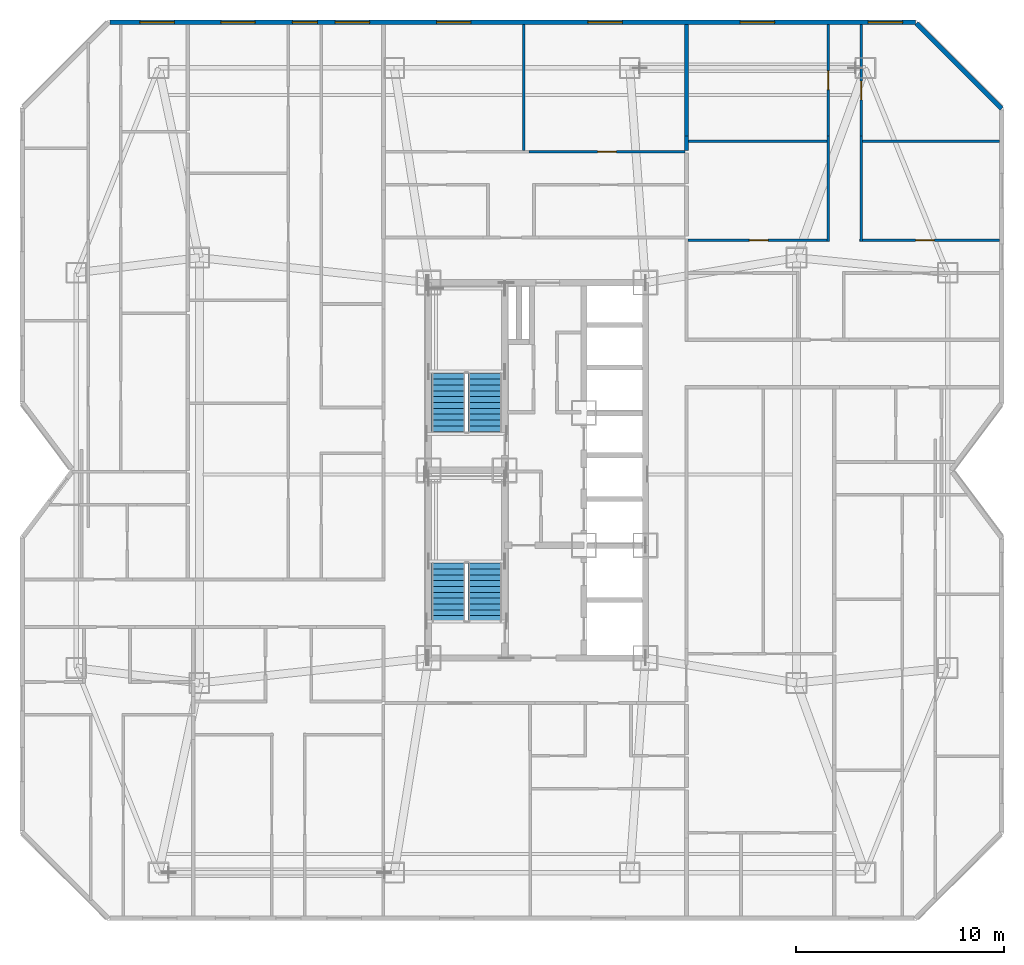
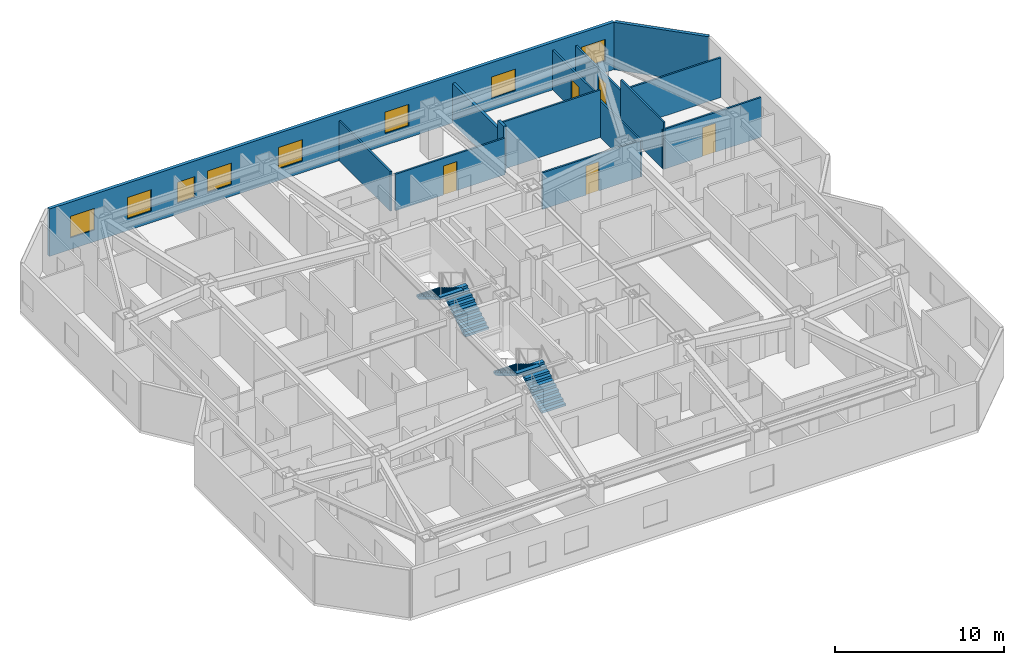
# One storey, part 11 of 13: 14 walls, 8 windows, 5 doors, 4 stair flights, 13 openings, 2 elements without a shape of their own.
"""IFC4 building model written with IfcOpenShell, lengths in metres."""

from ifc_helpers import new_model, si_unit, direction, frame, frame_2d, origin, place, context, subcontext, project, spatial, polyline, rectangle, outline, extrude, material, layer, layer_set, type_object, element, fill, aggregate, save


model = new_model("IFC4")

# Units and contexts
model_context = context("Model", 3, precision=1e-05, world=origin(), true_north=direction((0.0, 1.0)))
body_context = subcontext(model_context, "Body", "Model", "MODEL_VIEW")
ifc_project = project(units=[si_unit("LENGTHUNIT", "METRE"), si_unit("AREAUNIT", "SQUARE_METRE"), si_unit("VOLUMEUNIT", "CUBIC_METRE"), si_unit("PLANEANGLEUNIT", "RADIAN"), si_unit("MASSUNIT", "GRAM", prefix="KILO")], contexts=[model_context])

# Site, building, storey
site_placement = place(None, origin())
site = spatial("IfcSite", under=ifc_project, at=site_placement, CompositionType="ELEMENT")
building_placement = place(site_placement, origin())
building = spatial("IfcBuilding", under=site, at=building_placement, Name="Khamvora Tower", CompositionType="ELEMENT")
storey_placement = place(building_placement, frame((0.0, 0.0, 105.550048828125)))
storey = spatial("IfcBuildingStorey", under=building, at=storey_placement, Name="L26", CompositionType="ELEMENT", Elevation=105.550048828125)

# Walls
ifc_material_1 = material(Name="Acoustic Double-Stud Fire Wall", Category="gypsum")
ifc_layer_1 = layer(ifc_material_1, 0.179931640625)
ifc_layer_set_1 = layer_set([ifc_layer_1], Name="Acoustic Double-Stud Fire Wall")
wall_type_1 = type_object("IfcWallType", Name="WAL-CORR-180", PredefinedType="STANDARD", material=ifc_layer_set_1)
wall_1_placement = place(storey_placement, frame((41.364990234375, 44.033935546875, 0.0), z_axis=(0.0, 0.0, 1.0), x_axis=(0.0, -1.0, 0.0)))
element("IfcWall", 1, at=wall_1_placement, inside=storey, type_object=wall_type_1, Name="L26 interior partition wall 129", PredefinedType="STANDARD", context=body_context, shape_type="SweptSolid", body=[
    extrude(rectangle(XDim=0.69384765625, YDim=0.179931640625, at=frame_2d((0.346923828125, 0.0))), origin(), (0.0, 0.0, 1.0), 3.429931640625),
])
wall_2_placement = place(storey_placement, frame((41.364990234375, 49.387939453125, 0.0), z_axis=(0.0, 0.0, 1.0), x_axis=(0.0, -1.0, 0.0)))
element("IfcWall", 2, at=wall_2_placement, inside=storey, type_object=wall_type_1, Name="L26 interior partition wall 130", PredefinedType="STANDARD", context=body_context, shape_type="SweptSolid", body=[
    extrude(rectangle(XDim=5.35400390625, YDim=0.179931640625, at=frame_2d((2.677001953125, 0.0))), origin(), (0.0, 0.0, 1.0), 2.8759765625),
])

# Wall, openings, windows
ifc_material_2 = material(Name="Precast concrete C40/50", Category="concrete")
ifc_layer_2 = layer(ifc_material_2, 0.219970703125)
ifc_layer_set_2 = layer_set([ifc_layer_2], Name="Precast concrete C40/50")
wall_type_2 = type_object("IfcWallType", Name="WAL-EXT-220", PredefinedType="STANDARD", material=ifc_layer_set_2)
wall_3_placement = place(storey_placement, frame((13.715087890625, 49.489990234375, 0.0), z_axis=(0.0, 0.0, 1.0), x_axis=(1.0, 0.0, 0.0)))
wall_3 = element("IfcWall", 3, at=wall_3_placement, inside=storey, type_object=wall_type_2, Name="L26 exterior facade wall 07.1", PredefinedType="STANDARD", context=body_context, shape_type="SweptSolid", body=[
    extrude(rectangle(XDim=38.638916015625, YDim=0.219970703125, at=frame_2d((19.3193359375, 0.0))), origin(), (0.0, 0.0, 1.0), 3.429931640625),
])
opening_1_placement = place(wall_3_placement, frame((1.43505859375, 0.0, 0.85009765625)))
opening_1 = element("IfcOpeningElement", 4, at=opening_1_placement, cuts=wall_3, Name="Opening WN-06", PredefinedType="OPENING", context=body_context, shape_type="SweptSolid", body=[
    extrude(rectangle(XDim=1.64990234375, YDim=1.550048828125, at=frame_2d((0.824951171875, 0.77490234375))), frame((0.0, 0.119873046875, 0.0), z_axis=(0.0, -1.0, 0.0), x_axis=(1.0, 0.0, 0.0)), (0.0, 0.0, 1.0), 0.239990234375),
])
opening_2_placement = place(wall_3_placement, frame((10.802001953125, 0.0, 0.85009765625)))
opening_2 = element("IfcOpeningElement", 5, at=opening_2_placement, cuts=wall_3, Name="Opening WN-06", PredefinedType="OPENING", context=body_context, shape_type="SweptSolid", body=[
    extrude(rectangle(XDim=1.64990234375, YDim=1.550048828125, at=frame_2d((0.824951171875, 0.77490234375))), frame((0.0, 0.119873046875, 0.0), z_axis=(0.0, -1.0, 0.0), x_axis=(1.0, 0.0, 0.0)), (0.0, 0.0, 1.0), 0.239990234375),
])
opening_3_placement = place(wall_3_placement, frame((8.743896484375, 0.0, 0.800048828125)))
opening_3 = element("IfcOpeningElement", 6, at=opening_3_placement, cuts=wall_3, Name="Opening WN-03", PredefinedType="OPENING", context=body_context, shape_type="SweptSolid", body=[
    extrude(rectangle(XDim=1.199951171875, YDim=1.5, at=frame_2d((0.60009765625, 0.75))), frame((0.0, 0.119873046875, 0.0), z_axis=(0.0, -1.0, 0.0), x_axis=(1.0, 0.0, 0.0)), (0.0, 0.0, 1.0), 0.239990234375),
])
opening_4_placement = place(wall_3_placement, frame((5.319091796875, 0.0, 0.85009765625)))
opening_4 = element("IfcOpeningElement", 7, at=opening_4_placement, cuts=wall_3, Name="Opening WN-06", PredefinedType="OPENING", context=body_context, shape_type="SweptSolid", body=[
    extrude(rectangle(XDim=1.64990234375, YDim=1.550048828125, at=frame_2d((0.824951171875, 0.77490234375))), frame((0.0, 0.119873046875, 0.0), z_axis=(0.0, -1.0, 0.0), x_axis=(1.0, 0.0, 0.0)), (0.0, 0.0, 1.0), 0.239990234375),
])
opening_5_placement = place(wall_3_placement, frame((15.6650390625, 0.0, 0.85009765625)))
opening_5 = element("IfcOpeningElement", 8, at=opening_5_placement, cuts=wall_3, Name="Opening WN-06", PredefinedType="OPENING", context=body_context, shape_type="SweptSolid", body=[
    extrude(rectangle(XDim=1.64990234375, YDim=1.550048828125, at=frame_2d((0.824951171875, 0.77490234375))), frame((0.0, 0.119873046875, 0.0), z_axis=(0.0, -1.0, 0.0), x_axis=(1.0, 0.0, 0.0)), (0.0, 0.0, 1.0), 0.239990234375),
])
opening_6_placement = place(wall_3_placement, frame((22.929931640625, 0.0, 0.85009765625)))
opening_6 = element("IfcOpeningElement", 9, at=opening_6_placement, cuts=wall_3, Name="Opening WN-06", PredefinedType="OPENING", context=body_context, shape_type="SweptSolid", body=[
    extrude(rectangle(XDim=1.64990234375, YDim=1.550048828125, at=frame_2d((0.824951171875, 0.77490234375))), frame((0.0, 0.119873046875, 0.0), z_axis=(0.0, -1.0, 0.0), x_axis=(1.0, 0.0, 0.0)), (0.0, 0.0, 1.0), 0.239990234375),
])
opening_7_placement = place(wall_3_placement, frame((30.22998046875, 0.0, 0.85009765625)))
opening_7 = element("IfcOpeningElement", 10, at=opening_7_placement, cuts=wall_3, Name="Opening WN-06", PredefinedType="OPENING", context=body_context, shape_type="SweptSolid", body=[
    extrude(rectangle(XDim=1.64990234375, YDim=1.550048828125, at=frame_2d((0.824951171875, 0.77490234375))), frame((0.0, 0.119873046875, 0.0), z_axis=(0.0, -1.0, 0.0), x_axis=(1.0, 0.0, 0.0)), (0.0, 0.0, 1.0), 0.239990234375),
])
opening_8_placement = place(wall_3_placement, frame((36.366943359375, 0.0, 0.85009765625)))
opening_8 = element("IfcOpeningElement", 11, at=opening_8_placement, cuts=wall_3, Name="Opening WN-06", PredefinedType="OPENING", context=body_context, shape_type="SweptSolid", body=[
    extrude(rectangle(XDim=1.64990234375, YDim=1.550048828125, at=frame_2d((0.824951171875, 0.77490234375))), frame((0.0, 0.119873046875, 0.0), z_axis=(0.0, -1.0, 0.0), x_axis=(1.0, 0.0, 0.0)), (0.0, 0.0, 1.0), 0.239990234375),
])
ifc_material_3 = material(Name="Low-E Laminated Double Glazing", Category="glass")
window_type_1 = type_object("IfcWindowType", Name="WIN-VIS-1200x1500", PartitioningType="SINGLE_PANEL", PredefinedType="WINDOW", material=ifc_material_3)
window_1_placement = place(opening_3_placement, origin())
window_1 = element("IfcWindow", 12, at=window_1_placement, inside=storey, type_object=window_type_1, Name="L26 vision window 07.1.03", OverallHeight=1.5, OverallWidth=1.199951171875, PartitioningType="SINGLE_PANEL", PredefinedType="WINDOW", context=body_context, shape_type="SweptSolid", body=[
    extrude(rectangle(XDim=1.199951171875, YDim=1.5, at=frame_2d((0.60009765625, 0.75))), frame((0.0, 0.030029296875, 0.0), z_axis=(0.0, -1.0, 0.0), x_axis=(1.0, 0.0, 0.0)), (0.0, 0.0, 1.0), 0.06005859375),
])
fill(opening_3, window_1)
window_type_2 = type_object("IfcWindowType", Name="WIN-VIS-1650x1550", PartitioningType="SINGLE_PANEL", PredefinedType="WINDOW", material=ifc_material_3)
window_2_placement = place(opening_1_placement, origin())
window_2 = element("IfcWindow", 13, at=window_2_placement, inside=storey, type_object=window_type_2, Name="L26 vision window 07.1.01", OverallHeight=1.550048828125, OverallWidth=1.64990234375, PartitioningType="SINGLE_PANEL", PredefinedType="WINDOW", context=body_context, shape_type="SweptSolid", body=[
    extrude(rectangle(XDim=1.64990234375, YDim=1.550048828125, at=frame_2d((0.824951171875, 0.77490234375))), frame((0.0, 0.030029296875, 0.0), z_axis=(0.0, -1.0, 0.0), x_axis=(1.0, 0.0, 0.0)), (0.0, 0.0, 1.0), 0.06005859375),
])
fill(opening_1, window_2)
window_3_placement = place(opening_2_placement, origin())
window_3 = element("IfcWindow", 14, at=window_3_placement, inside=storey, type_object=window_type_2, Name="L26 vision window 07.1.02", OverallHeight=1.550048828125, OverallWidth=1.64990234375, PartitioningType="SINGLE_PANEL", PredefinedType="WINDOW", context=body_context, shape_type="SweptSolid", body=[
    extrude(rectangle(XDim=1.64990234375, YDim=1.550048828125, at=frame_2d((0.824951171875, 0.77490234375))), frame((0.0, 0.030029296875, 0.0), z_axis=(0.0, -1.0, 0.0), x_axis=(1.0, 0.0, 0.0)), (0.0, 0.0, 1.0), 0.06005859375),
])
fill(opening_2, window_3)
window_4_placement = place(opening_4_placement, origin())
window_4 = element("IfcWindow", 15, at=window_4_placement, inside=storey, type_object=window_type_2, Name="L26 vision window 07.1.04", OverallHeight=1.550048828125, OverallWidth=1.64990234375, PartitioningType="SINGLE_PANEL", PredefinedType="WINDOW", context=body_context, shape_type="SweptSolid", body=[
    extrude(rectangle(XDim=1.64990234375, YDim=1.550048828125, at=frame_2d((0.824951171875, 0.77490234375))), frame((0.0, 0.030029296875, 0.0), z_axis=(0.0, -1.0, 0.0), x_axis=(1.0, 0.0, 0.0)), (0.0, 0.0, 1.0), 0.06005859375),
])
fill(opening_4, window_4)
window_5_placement = place(opening_5_placement, origin())
window_5 = element("IfcWindow", 16, at=window_5_placement, inside=storey, type_object=window_type_2, Name="L26 vision window 07.1.05", OverallHeight=1.550048828125, OverallWidth=1.64990234375, PartitioningType="SINGLE_PANEL", PredefinedType="WINDOW", context=body_context, shape_type="SweptSolid", body=[
    extrude(rectangle(XDim=1.64990234375, YDim=1.550048828125, at=frame_2d((0.824951171875, 0.77490234375))), frame((0.0, 0.030029296875, 0.0), z_axis=(0.0, -1.0, 0.0), x_axis=(1.0, 0.0, 0.0)), (0.0, 0.0, 1.0), 0.06005859375),
])
fill(opening_5, window_5)
window_6_placement = place(opening_6_placement, origin())
window_6 = element("IfcWindow", 17, at=window_6_placement, inside=storey, type_object=window_type_2, Name="L26 vision window 07.1.06", OverallHeight=1.550048828125, OverallWidth=1.64990234375, PartitioningType="SINGLE_PANEL", PredefinedType="WINDOW", context=body_context, shape_type="SweptSolid", body=[
    extrude(rectangle(XDim=1.64990234375, YDim=1.550048828125, at=frame_2d((0.824951171875, 0.77490234375))), frame((0.0, 0.030029296875, 0.0), z_axis=(0.0, -1.0, 0.0), x_axis=(1.0, 0.0, 0.0)), (0.0, 0.0, 1.0), 0.06005859375),
])
fill(opening_6, window_6)
window_7_placement = place(opening_7_placement, origin())
window_7 = element("IfcWindow", 18, at=window_7_placement, inside=storey, type_object=window_type_2, Name="L26 vision window 07.1.07", OverallHeight=1.550048828125, OverallWidth=1.64990234375, PartitioningType="SINGLE_PANEL", PredefinedType="WINDOW", context=body_context, shape_type="SweptSolid", body=[
    extrude(rectangle(XDim=1.64990234375, YDim=1.550048828125, at=frame_2d((0.824951171875, 0.77490234375))), frame((0.0, 0.030029296875, 0.0), z_axis=(0.0, -1.0, 0.0), x_axis=(1.0, 0.0, 0.0)), (0.0, 0.0, 1.0), 0.06005859375),
])
fill(opening_7, window_7)
window_8_placement = place(opening_8_placement, origin())
window_8 = element("IfcWindow", 19, at=window_8_placement, inside=storey, type_object=window_type_2, Name="L26 vision window 07.1.08", OverallHeight=1.550048828125, OverallWidth=1.64990234375, PartitioningType="SINGLE_PANEL", PredefinedType="WINDOW", context=body_context, shape_type="SweptSolid", body=[
    extrude(rectangle(XDim=1.64990234375, YDim=1.550048828125, at=frame_2d((0.824951171875, 0.77490234375))), frame((0.0, 0.030029296875, 0.0), z_axis=(0.0, -1.0, 0.0), x_axis=(1.0, 0.0, 0.0)), (0.0, 0.0, 1.0), 0.06005859375),
])
fill(opening_8, window_8)

# Wall
wall_4_placement = place(storey_placement, frame((52.402099609375, 49.44189453125, 0.0), z_axis=(0.0, 0.0, 1.0), x_axis=(0.707106781187, -0.707106781187, 0.0)))
element("IfcWall", 20, at=wall_4_placement, inside=storey, type_object=wall_type_2, Name="L26 exterior facade wall 08.1", PredefinedType="STANDARD", context=body_context, shape_type="SweptSolid", body=[
    extrude(rectangle(XDim=5.78125, YDim=0.219970703125, at=frame_2d((2.890625, 0.0))), origin(), (0.0, 0.0, 1.0), 3.429931640625),
])

# Wall, opening, door
ifc_material_4 = material(Name="Gypsum Plasterboard Partition", Category="gypsum")
ifc_layer_3 = layer(ifc_material_4, 0.1201171875)
ifc_layer_set_3 = layer_set([ifc_layer_3], Name="Gypsum Plasterboard Partition")
wall_type_3 = type_object("IfcWallType", Name="WAL-PART-120", PredefinedType="PARTITIONING", material=ifc_layer_set_3)
wall_5_placement = place(storey_placement, frame((33.822998046875, 43.27490234375, 0.0), z_axis=(0.0, 0.0, 1.0), x_axis=(1.0, 0.0, 0.0)))
wall_5 = element("IfcWall", 21, at=wall_5_placement, inside=storey, type_object=wall_type_3, Name="L26 interior partition wall 125", PredefinedType="PARTITIONING", context=body_context, shape_type="SweptSolid", body=[
    extrude(rectangle(XDim=7.47705078125, YDim=0.1201171875, at=frame_2d((3.738525390625, 0.0))), origin(), (0.0, 0.0, 1.0), 2.64697265625),
])
opening_9_placement = place(wall_5_placement, frame((3.2880859375, 0.0, 0.0)))
opening_9 = element("IfcOpeningElement", 22, at=opening_9_placement, cuts=wall_5, Name="Opening D-RM1", PredefinedType="OPENING", context=body_context, shape_type="SweptSolid", body=[
    extrude(rectangle(XDim=0.89990234375, YDim=2.10009765625, at=frame_2d((0.449951171875, 1.050048828125))), frame((0.0, 0.070068359375, 0.0), z_axis=(0.0, -1.0, 0.0), x_axis=(1.0, 0.0, 0.0)), (0.0, 0.0, 1.0), 0.14013671875),
])
ifc_material_5 = material(Name="Powder-Coated Steel and Hardwood Leaf", Category="steel")
door_type = type_object("IfcDoorType", Name="DOR-ROOM-900", OperationType="NOTDEFINED", PredefinedType="DOOR", material=ifc_material_5)
door_1_placement = place(opening_9_placement, origin())
door_1 = element("IfcDoor", 23, at=door_1_placement, inside=storey, type_object=door_type, Name="L26 interior door 26NAH-26NAR2", OperationType="SINGLE_SWING_LEFT", OverallHeight=2.10009765625, OverallWidth=0.89990234375, PredefinedType="DOOR", context=body_context, shape_type="SweptSolid", body=[
    extrude(rectangle(XDim=0.89990234375, YDim=2.10009765625, at=frame_2d((0.449951171875, 1.050048828125))), frame((0.0, 0.02490234375, 0.0), z_axis=(0.0, -1.0, 0.0), x_axis=(1.0, 0.0, 0.0)), (0.0, 0.0, 1.0), 0.050048828125),
])
fill(opening_9, door_1)

# Wall
wall_6_placement = place(storey_placement, frame((33.573974609375, 49.387939453125, 0.0), z_axis=(0.0, 0.0, 1.0), x_axis=(0.0, -1.0, 0.0)))
element("IfcWall", 24, at=wall_6_placement, inside=storey, type_object=wall_type_3, Name="L26 interior partition wall 128", PredefinedType="PARTITIONING", context=body_context, shape_type="SweptSolid", body=[
    extrude(rectangle(XDim=6.058837890625, YDim=0.1201171875, at=frame_2d((3.029296875, 0.0))), origin(), (0.0, 0.0, 1.0), 2.8759765625),
])

# Wall, opening, door
wall_7_placement = place(storey_placement, frame((41.431884765625, 39.0439453125, 0.0), z_axis=(0.0, 0.0, 1.0), x_axis=(1.0, 0.0, 0.0)))
wall_7 = element("IfcWall", 25, at=wall_7_placement, inside=storey, type_object=wall_type_3, Name="L26 interior partition wall 164", PredefinedType="PARTITIONING", context=body_context, shape_type="SweptSolid", body=[
    extrude(rectangle(XDim=6.80810546875, YDim=0.1201171875, at=frame_2d((3.404052734375, 0.0))), origin(), (0.0, 0.0, 1.0), 2.64697265625),
])
opening_10_placement = place(wall_7_placement, frame((2.9541015625, 0.0, 0.0)))
opening_10 = element("IfcOpeningElement", 26, at=opening_10_placement, cuts=wall_7, Name="Opening D-RM1", PredefinedType="OPENING", context=body_context, shape_type="SweptSolid", body=[
    extrude(rectangle(XDim=0.89990234375, YDim=2.10009765625, at=frame_2d((0.449951171875, 1.050048828125))), frame((0.0, 0.070068359375, 0.0), z_axis=(0.0, -1.0, 0.0), x_axis=(1.0, 0.0, 0.0)), (0.0, 0.0, 1.0), 0.14013671875),
])
door_2_placement = place(opening_10_placement, origin())
door_2 = element("IfcDoor", 27, at=door_2_placement, inside=storey, type_object=door_type, Name="L26 interior door 26ECH-26ECL", OperationType="SINGLE_SWING_LEFT", OverallHeight=2.10009765625, OverallWidth=0.89990234375, PredefinedType="DOOR", context=body_context, shape_type="SweptSolid", body=[
    extrude(rectangle(XDim=0.89990234375, YDim=2.10009765625, at=frame_2d((0.449951171875, 1.050048828125))), frame((0.0, 0.02490234375, 0.0), z_axis=(0.0, -1.0, 0.0), x_axis=(1.0, 0.0, 0.0)), (0.0, 0.0, 1.0), 0.050048828125),
])
fill(opening_10, door_2)

# Wall
wall_8_placement = place(storey_placement, frame((48.175048828125, 38.97900390625, 0.0), z_axis=(0.0, 0.0, 1.0), x_axis=(0.0, 1.0, 0.0)))
element("IfcWall", 28, at=wall_8_placement, inside=storey, type_object=wall_type_3, Name="L26 interior partition wall 165", PredefinedType="PARTITIONING", context=body_context, shape_type="SweptSolid", body=[
    extrude(rectangle(XDim=5.054931640625, YDim=0.1201171875, at=frame_2d((2.52734375, 0.0))), origin(), (0.0, 0.0, 1.0), 2.64697265625),
])

# Wall, opening, door
wall_9_placement = place(storey_placement, frame((48.175048828125, 44.033935546875, 0.0), z_axis=(0.0, 0.0, 1.0), x_axis=(0.0, 1.0, 0.0)))
wall_9 = element("IfcWall", 29, at=wall_9_placement, inside=storey, type_object=wall_type_3, Name="L26 interior partition wall 166", PredefinedType="PARTITIONING", context=body_context, shape_type="SweptSolid", body=[
    extrude(rectangle(XDim=5.35400390625, YDim=0.1201171875, at=frame_2d((2.677001953125, 0.0))), origin(), (0.0, 0.0, 1.0), 2.8759765625),
])
opening_11_placement = place(wall_9_placement, frame((2.22705078125, 0.0, 0.0)))
opening_11 = element("IfcOpeningElement", 30, at=opening_11_placement, cuts=wall_9, Name="Opening D-RM1", PredefinedType="OPENING", context=body_context, shape_type="SweptSolid", body=[
    extrude(rectangle(XDim=0.89990234375, YDim=2.10009765625, at=frame_2d((0.449951171875, 1.050048828125))), frame((0.0, 0.070068359375, 0.0), z_axis=(0.0, -1.0, 0.0), x_axis=(1.0, 0.0, 0.0)), (0.0, 0.0, 1.0), 0.14013671875),
])
door_3_placement = place(opening_11_placement, origin())
door_3 = element("IfcDoor", 31, at=door_3_placement, inside=storey, type_object=door_type, Name="L26 interior door 26ECH-26ECR2", OperationType="SINGLE_SWING_RIGHT", OverallHeight=2.10009765625, OverallWidth=0.89990234375, PredefinedType="DOOR", context=body_context, shape_type="SweptSolid", body=[
    extrude(rectangle(XDim=0.89990234375, YDim=2.10009765625, at=frame_2d((0.449951171875, 1.050048828125))), frame((0.0, 0.02490234375, 0.0), z_axis=(0.0, -1.0, 0.0), x_axis=(1.0, 0.0, 0.0)), (0.0, 0.0, 1.0), 0.050048828125),
])
fill(opening_11, door_3)

# Wall
wall_10_placement = place(storey_placement, frame((49.7451171875, 44.033935546875, 0.0), z_axis=(0.0, 0.0, 1.0), x_axis=(0.0, -1.0, 0.0)))
element("IfcWall", 32, at=wall_10_placement, inside=storey, type_object=wall_type_3, Name="L26 interior partition wall 167", PredefinedType="PARTITIONING", context=body_context, shape_type="SweptSolid", body=[
    extrude(rectangle(XDim=5.054931640625, YDim=0.1201171875, at=frame_2d((2.52734375, 0.0))), origin(), (0.0, 0.0, 1.0), 3.429931640625),
])

# Wall, opening, door
wall_11_placement = place(storey_placement, frame((49.679931640625, 39.0439453125, 0.0), z_axis=(0.0, 0.0, 1.0), x_axis=(1.0, 0.0, 0.0)))
wall_11 = element("IfcWall", 33, at=wall_11_placement, inside=storey, type_object=wall_type_3, Name="L26 interior partition wall 168", PredefinedType="PARTITIONING", context=body_context, shape_type="SweptSolid", body=[
    extrude(rectangle(XDim=6.7080078125, YDim=0.1201171875, at=frame_2d((3.35400390625, 0.0))), origin(), (0.0, 0.0, 1.0), 2.8759765625),
])
opening_12_placement = place(wall_11_placement, frame((2.68603515625, 0.0, 0.0)))
opening_12 = element("IfcOpeningElement", 34, at=opening_12_placement, cuts=wall_11, Name="Opening D-RM1", PredefinedType="OPENING", context=body_context, shape_type="SweptSolid", body=[
    extrude(rectangle(XDim=0.89990234375, YDim=2.10009765625, at=frame_2d((0.449951171875, 1.050048828125))), frame((0.0, 0.070068359375, 0.0), z_axis=(0.0, -1.0, 0.0), x_axis=(1.0, 0.0, 0.0)), (0.0, 0.0, 1.0), 0.14013671875),
])
door_4_placement = place(opening_12_placement, origin())
door_4 = element("IfcDoor", 35, at=door_4_placement, inside=storey, type_object=door_type, Name="L26 interior door 26ECH-26ECR3", OperationType="SINGLE_SWING_RIGHT", OverallHeight=2.10009765625, OverallWidth=0.89990234375, PredefinedType="DOOR", context=body_context, shape_type="SweptSolid", body=[
    extrude(rectangle(XDim=0.89990234375, YDim=2.10009765625, at=frame_2d((0.449951171875, 1.050048828125))), frame((0.0, 0.02490234375, 0.0), z_axis=(0.0, -1.0, 0.0), x_axis=(1.0, 0.0, 0.0)), (0.0, 0.0, 1.0), 0.050048828125),
])
fill(opening_12, door_4)

wall_12_placement = place(storey_placement, frame((49.7451171875, 49.387939453125, 0.0), z_axis=(0.0, 0.0, 1.0), x_axis=(0.0, -1.0, 0.0)))
wall_12 = element("IfcWall", 36, at=wall_12_placement, inside=storey, type_object=wall_type_3, Name="L26 interior partition wall 169", PredefinedType="PARTITIONING", context=body_context, shape_type="SweptSolid", body=[
    extrude(rectangle(XDim=5.35400390625, YDim=0.1201171875, at=frame_2d((2.677001953125, 0.0))), origin(), (0.0, 0.0, 1.0), 2.64697265625),
])
opening_13_placement = place(wall_12_placement, frame((2.72509765625, 0.0, 0.0)))
opening_13 = element("IfcOpeningElement", 37, at=opening_13_placement, cuts=wall_12, Name="Opening D-RM1", PredefinedType="OPENING", context=body_context, shape_type="SweptSolid", body=[
    extrude(rectangle(XDim=0.89990234375, YDim=2.10009765625, at=frame_2d((0.449951171875, 1.050048828125))), frame((0.0, 0.070068359375, 0.0), z_axis=(0.0, -1.0, 0.0), x_axis=(1.0, 0.0, 0.0)), (0.0, 0.0, 1.0), 0.14013671875),
])
door_5_placement = place(opening_13_placement, origin())
door_5 = element("IfcDoor", 38, at=door_5_placement, inside=storey, type_object=door_type, Name="L26 interior door 26ECH-26ECR4", OperationType="SINGLE_SWING_RIGHT", OverallHeight=2.10009765625, OverallWidth=0.89990234375, PredefinedType="DOOR", context=body_context, shape_type="SweptSolid", body=[
    extrude(rectangle(XDim=0.89990234375, YDim=2.10009765625, at=frame_2d((0.449951171875, 1.050048828125))), frame((0.0, 0.02490234375, 0.0), z_axis=(0.0, -1.0, 0.0), x_axis=(1.0, 0.0, 0.0)), (0.0, 0.0, 1.0), 0.050048828125),
])
fill(opening_13, door_5)

# Walls
wall_13_placement = place(storey_placement, frame((41.447021484375, 43.784912109375, 0.0), z_axis=(0.0, 0.0, 1.0), x_axis=(1.0, 0.0, 0.0)))
element("IfcWall", 39, at=wall_13_placement, inside=storey, type_object=wall_type_3, Name="L26 interior partition wall 170", PredefinedType="PARTITIONING", context=body_context, shape_type="SweptSolid", body=[
    extrude(rectangle(XDim=6.674072265625, YDim=0.1201171875, at=frame_2d((3.3369140625, 0.0))), origin(), (0.0, 0.0, 1.0), 3.429931640625),
])
wall_14_placement = place(storey_placement, frame((49.799072265625, 43.784912109375, 0.0), z_axis=(0.0, 0.0, 1.0), x_axis=(1.0, 0.0, 0.0)))
element("IfcWall", 40, at=wall_14_placement, inside=storey, type_object=wall_type_3, Name="L26 interior partition wall 171", PredefinedType="PARTITIONING", context=body_context, shape_type="SweptSolid", body=[
    extrude(rectangle(XDim=6.5888671875, YDim=0.1201171875, at=frame_2d((3.29443359375, 0.0))), origin(), (0.0, 0.0, 1.0), 2.8759765625),
])

# Stair, stair flights
ifc_material_6 = material(Name="Concrete C40/50", Category="concrete")
stair_type_1 = type_object("IfcStairType", Name="STR-ST-01", PredefinedType="HALF_TURN_STAIR", material=ifc_material_6)
stair_1_placement = place(storey_placement, origin())
stair_1 = element("IfcStair", 41, at=stair_1_placement, inside=storey, type_object=stair_type_1, Name="L26 South Tower Exit Stair ST-01", PredefinedType="HALF_TURN_STAIR")
stair_flight_type_1 = type_object("IfcStairFlightType", Name="STF-ST-01", PredefinedType="STRAIGHT", material=ifc_material_6)
stair_flight_1_placement = place(storey_placement, frame((31.699951171875, 20.75, 0.0), z_axis=(0.0, 0.0, 1.0), x_axis=(0.0, 1.0, 0.0)))
stair_flight_1 = element("IfcStairFlight", 42, at=stair_flight_1_placement, type_object=stair_flight_type_1, Name="ST-01 flight 1", NumberOfRisers=11, NumberOfTreads=10, PredefinedType="STRAIGHT", RiserHeight=0.165909091, TreadLength=0.28, context=body_context, shape_type="SweptSolid", body=[
    extrude(outline(polyline([(0.0, 0.0), (0.0, 0.166015625), (0.280029296875, 0.166015625), (0.280029296875, 0.331787109375), (0.56005859375, 0.331787109375), (0.56005859375, 0.497802734375), (0.840087890625, 0.497802734375), (0.840087890625, 0.66357421875), (1.1201171875, 0.66357421875), (1.1201171875, 0.82958984375), (1.39990234375, 0.82958984375), (1.39990234375, 0.995361328125), (1.679931640625, 0.995361328125), (1.679931640625, 1.161376953125), (1.9599609375, 1.161376953125), (1.9599609375, 1.327392578125), (2.239990234375, 1.327392578125), (2.239990234375, 1.4931640625), (2.52001953125, 1.4931640625), (2.52001953125, 1.6591796875), (2.800048828125, 1.6591796875), (2.800048828125, 1.824951171875), (2.800048828125, 1.48486328125), (0.2939453125, 0.0), (0.0, 0.0)])), frame((0.0, 0.800048828125, 0.0), z_axis=(0.0, -1.0, 0.0), x_axis=(1.0, 0.0, 0.0)), (0.0, 0.0, 1.0), 1.60009765625),
])
stair_flight_2_placement = place(storey_placement, frame((29.949951171875, 23.550048828125, 1.824951171875), z_axis=(0.0, 0.0, 1.0), x_axis=(0.0, -1.0, 0.0)))
stair_flight_2 = element("IfcStairFlight", 43, at=stair_flight_2_placement, type_object=stair_flight_type_1, Name="ST-01 flight 2", NumberOfRisers=11, NumberOfTreads=10, PredefinedType="STRAIGHT", RiserHeight=0.165909091, TreadLength=0.28, context=body_context, shape_type="SweptSolid", body=[
    extrude(outline(polyline([(0.0, 0.0), (0.0, 0.166015625), (0.280029296875, 0.166015625), (0.280029296875, 0.331787109375), (0.56005859375, 0.331787109375), (0.56005859375, 0.497802734375), (0.840087890625, 0.497802734375), (0.840087890625, 0.66357421875), (1.1201171875, 0.66357421875), (1.1201171875, 0.82958984375), (1.39990234375, 0.82958984375), (1.39990234375, 0.995361328125), (1.679931640625, 0.995361328125), (1.679931640625, 1.161376953125), (1.9599609375, 1.161376953125), (1.9599609375, 1.327392578125), (2.239990234375, 1.327392578125), (2.239990234375, 1.4931640625), (2.52001953125, 1.4931640625), (2.52001953125, 1.6591796875), (2.800048828125, 1.6591796875), (2.800048828125, 1.824951171875), (2.800048828125, 1.48486328125), (0.2939453125, 0.0), (0.0, 0.0)])), frame((0.0, 0.800048828125, 0.0), z_axis=(0.0, -1.0, 0.0), x_axis=(1.0, 0.0, 0.0)), (0.0, 0.0, 1.0), 1.60009765625),
])
aggregate(stair_1, [stair_flight_1, stair_flight_2])

stair_type_2 = type_object("IfcStairType", Name="STR-ST-02", PredefinedType="HALF_TURN_STAIR", material=ifc_material_6)
stair_2_placement = place(storey_placement, origin())
stair_2 = element("IfcStair", 44, at=stair_2_placement, inside=storey, type_object=stair_type_2, Name="L26 North Tower Exit Stair ST-02", PredefinedType="HALF_TURN_STAIR")
stair_flight_type_2 = type_object("IfcStairFlightType", Name="STF-ST-02", PredefinedType="STRAIGHT", material=ifc_material_6)
stair_flight_3_placement = place(storey_placement, frame((31.699951171875, 29.85009765625, 0.0), z_axis=(0.0, 0.0, 1.0), x_axis=(0.0, 1.0, 0.0)))
stair_flight_3 = element("IfcStairFlight", 45, at=stair_flight_3_placement, type_object=stair_flight_type_2, Name="ST-02 flight 1", NumberOfRisers=11, NumberOfTreads=10, PredefinedType="STRAIGHT", RiserHeight=0.165909091, TreadLength=0.28, context=body_context, shape_type="SweptSolid", body=[
    extrude(outline(polyline([(0.0, 0.0), (0.0, 0.166015625), (0.280029296875, 0.166015625), (0.280029296875, 0.331787109375), (0.56005859375, 0.331787109375), (0.56005859375, 0.497802734375), (0.840087890625, 0.497802734375), (0.840087890625, 0.66357421875), (1.1201171875, 0.66357421875), (1.1201171875, 0.82958984375), (1.39990234375, 0.82958984375), (1.39990234375, 0.995361328125), (1.679931640625, 0.995361328125), (1.679931640625, 1.161376953125), (1.9599609375, 1.161376953125), (1.9599609375, 1.327392578125), (2.239990234375, 1.327392578125), (2.239990234375, 1.4931640625), (2.52001953125, 1.4931640625), (2.52001953125, 1.6591796875), (2.800048828125, 1.6591796875), (2.800048828125, 1.824951171875), (2.800048828125, 1.48486328125), (0.2939453125, 0.0), (0.0, 0.0)])), frame((0.0, 0.800048828125, 0.0), z_axis=(0.0, -1.0, 0.0), x_axis=(1.0, 0.0, 0.0)), (0.0, 0.0, 1.0), 1.60009765625),
])
stair_flight_4_placement = place(storey_placement, frame((29.949951171875, 32.64990234375, 1.824951171875), z_axis=(0.0, 0.0, 1.0), x_axis=(0.0, -1.0, 0.0)))
stair_flight_4 = element("IfcStairFlight", 46, at=stair_flight_4_placement, type_object=stair_flight_type_2, Name="ST-02 flight 2", NumberOfRisers=11, NumberOfTreads=10, PredefinedType="STRAIGHT", RiserHeight=0.165909091, TreadLength=0.28, context=body_context, shape_type="SweptSolid", body=[
    extrude(outline(polyline([(0.0, 0.0), (0.0, 0.166015625), (0.280029296875, 0.166015625), (0.280029296875, 0.331787109375), (0.56005859375, 0.331787109375), (0.56005859375, 0.497802734375), (0.840087890625, 0.497802734375), (0.840087890625, 0.66357421875), (1.1201171875, 0.66357421875), (1.1201171875, 0.82958984375), (1.39990234375, 0.82958984375), (1.39990234375, 0.995361328125), (1.679931640625, 0.995361328125), (1.679931640625, 1.161376953125), (1.9599609375, 1.161376953125), (1.9599609375, 1.327392578125), (2.239990234375, 1.327392578125), (2.239990234375, 1.4931640625), (2.52001953125, 1.4931640625), (2.52001953125, 1.6591796875), (2.800048828125, 1.6591796875), (2.800048828125, 1.824951171875), (2.800048828125, 1.48486328125), (0.2939453125, 0.0), (0.0, 0.0)])), frame((0.0, 0.800048828125, 0.0), z_axis=(0.0, -1.0, 0.0), x_axis=(1.0, 0.0, 0.0)), (0.0, 0.0, 1.0), 1.60009765625),
])
aggregate(stair_2, [stair_flight_3, stair_flight_4])

save(model, "model.ifc")
